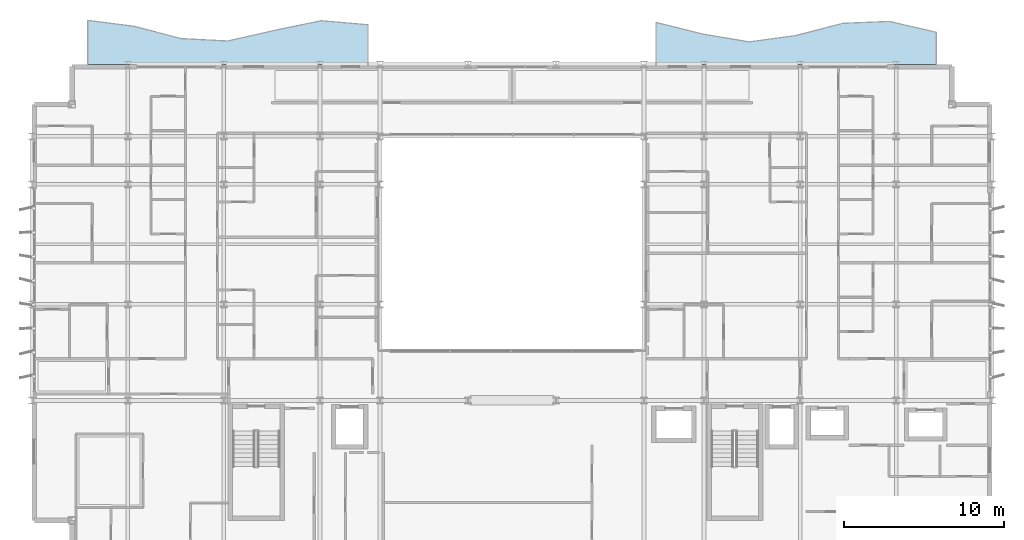
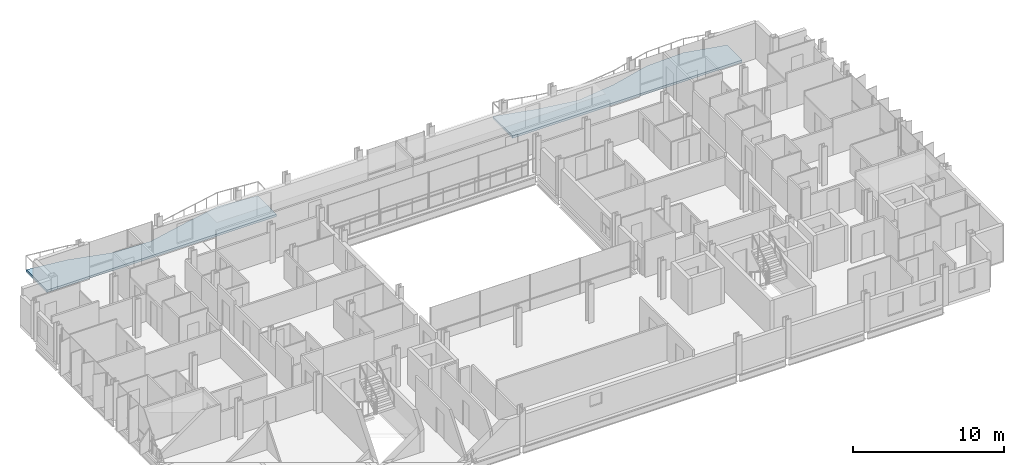
# One storey, part 25 of 39: 2 slabs.
"""IFC4 building model written with IfcOpenShell, lengths in metres."""

from ifc_helpers import new_model, si_unit, direction, frame, origin, place, context, subcontext, project, spatial, polyline, outline, extrude, material, layer, layer_set, type_object, element, save


model = new_model("IFC4")

# Units and contexts
model_context = context("Model", 3, precision=1e-05, world=origin(), true_north=direction((0.0, 1.0)))
body_context = subcontext(model_context, "Body", "Model", "MODEL_VIEW")
ifc_project = project(units=[si_unit("LENGTHUNIT", "METRE"), si_unit("AREAUNIT", "SQUARE_METRE"), si_unit("VOLUMEUNIT", "CUBIC_METRE"), si_unit("PLANEANGLEUNIT", "RADIAN"), si_unit("MASSUNIT", "GRAM", prefix="KILO")], contexts=[model_context])

# Site, building, storey
site_placement = place(None, origin())
site = spatial("IfcSite", under=ifc_project, at=site_placement, CompositionType="ELEMENT")
building_placement = place(site_placement, origin())
building = spatial("IfcBuilding", under=site, at=building_placement, Name="Brevholm Reach", CompositionType="ELEMENT")
storey_placement = place(building_placement, frame((0.0, 0.0, 103.5)))
storey = spatial("IfcBuildingStorey", under=building, at=storey_placement, Name="L30", CompositionType="ELEMENT", Elevation=103.5)

# Slabs
ifc_material = material(Name="Precast Concrete C40/50", Category="concrete")
ifc_layer = layer(ifc_material, 0.179931640625)
ifc_layer_set = layer_set([ifc_layer], Name="Precast Concrete C40/50")
slab_type = type_object("IfcSlabType", Name="SLB-BAL-180", PredefinedType="FLOOR", material=ifc_layer_set)
slab_1_placement = place(storey_placement, frame((0.0, 0.0, -0.179931640625)))
element("IfcSlab", 1, at=slab_1_placement, inside=storey, type_object=slab_type, Name="L30 Rippling External Balcony NE", PredefinedType="FLOOR", context=body_context, shape_type="SweptSolid", body=[
    extrude(outline(polyline([(39.0, 31.0), (56.5, 31.0), (56.5, 33.00439453125), (53.583251953125, 33.681640625), (50.666748046875, 33.560546875), (47.75, 32.800537109375), (44.833251953125, 32.401611328125), (41.916748046875, 32.888916015625), (39.0, 33.62109375), (39.0, 31.0)])), origin(), (0.0, 0.0, 1.0), 0.179931640625),
])
slab_2_placement = place(storey_placement, frame((0.0, 0.0, -0.179931640625)))
element("IfcSlab", 2, at=slab_2_placement, inside=storey, type_object=slab_type, Name="L30 Rippling External Balcony NW", PredefinedType="FLOOR", context=body_context, shape_type="SweptSolid", body=[
    extrude(outline(polyline([(3.5, 31.0), (21.0, 31.0), (21.0, 33.4716796875), (18.083251953125, 33.723876953125), (15.166748046875, 33.1220703125), (12.25, 32.45849609375), (9.333251953125, 32.606201171875), (6.416748046875, 33.370849609375), (3.5, 33.746337890625), (3.5, 31.0)])), origin(), (0.0, 0.0, 1.0), 0.179931640625),
])

save(model, "model.ifc")
